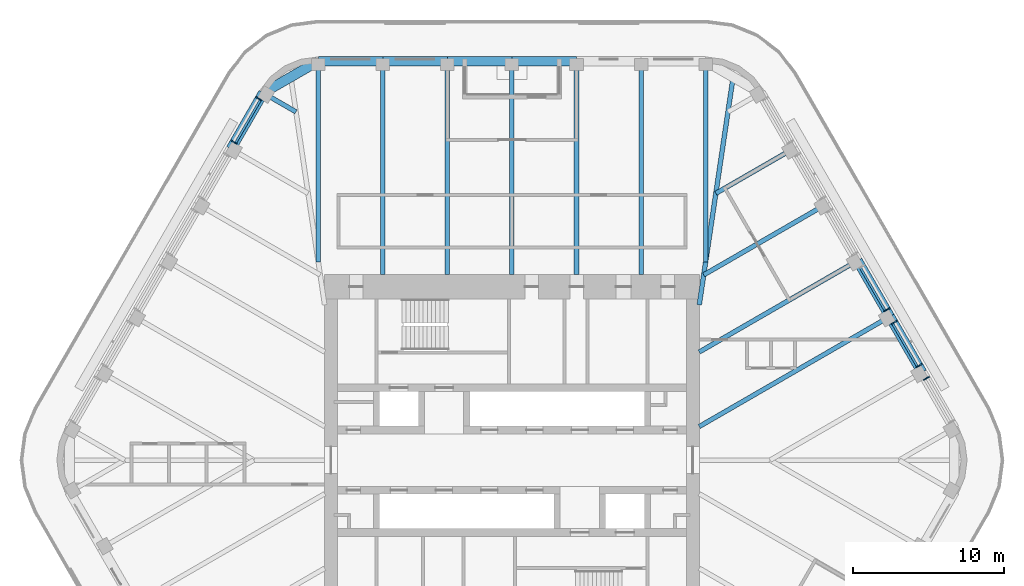
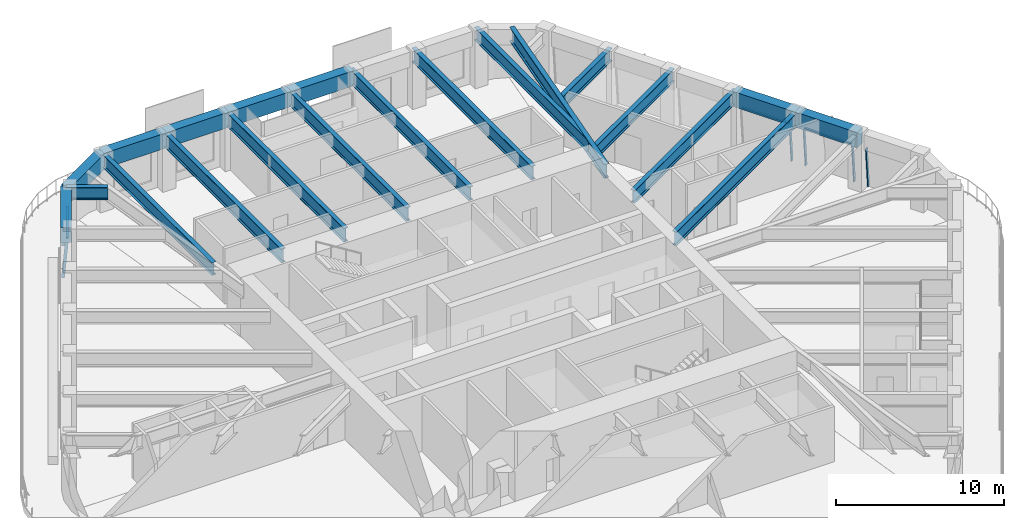
# One storey, part 9 of 19: 21 beams, 9 members, 4 elements without a shape of their own.
"""IFC4 building model written with IfcOpenShell, lengths in metres."""

from ifc_helpers import new_model, si_unit, direction, frame, origin, origin_2d, place, context, subcontext, project, spatial, rectangle, i_section, extrude, material, material_profile, profile_set, type_object, element, aggregate, save


model = new_model("IFC4")

# Units and contexts
model_context = context("Model", 3, precision=1e-05, world=origin(), true_north=direction((0.0, 1.0)))
body_context = subcontext(model_context, "Body", "Model", "MODEL_VIEW")
ifc_project = project(units=[si_unit("LENGTHUNIT", "METRE"), si_unit("AREAUNIT", "SQUARE_METRE"), si_unit("VOLUMEUNIT", "CUBIC_METRE"), si_unit("PLANEANGLEUNIT", "RADIAN"), si_unit("MASSUNIT", "GRAM", prefix="KILO")], contexts=[model_context])

# Site, building, storey
site_placement = place(None, origin())
site = spatial("IfcSite", under=ifc_project, at=site_placement, CompositionType="ELEMENT")
building_placement = place(site_placement, origin())
building = spatial("IfcBuilding", under=site, at=building_placement, Name="Tarfa Lantern Tower", CompositionType="ELEMENT")
storey_placement = place(building_placement, frame((0.0, 0.0, 353.5)))
storey = spatial("IfcBuildingStorey", under=building, at=storey_placement, Name="L80", CompositionType="ELEMENT", Elevation=353.5)

# Curtain wall, member
ifc_material_1 = material(Name="Aluminium framed curtain wall", Category="aluminium")
curtain_wall_type = type_object("IfcCurtainWallType", Name="CW4 CANTED GLAZING EXECUTIVE ZONE 2900", PredefinedType="USERDEFINED", material=ifc_material_1)
curtain_wall_1_placement = place(storey_placement, origin())
curtain_wall_1 = element("IfcCurtainWall", 1, at=curtain_wall_1_placement, inside=storey, type_object=curtain_wall_type, Name="CW4 NE L80", ObjectType="CURTAIN WALL", PredefinedType="USERDEFINED")
ifc_material_2 = material(Name="Aluminium mullion", Category="aluminium")
ifc_material_profile_1 = material_profile(ifc_material_2, rectangle(XDim=0.06494140625, YDim=0.199951171875, at=origin_2d()), Name="AL MULLION 65x200")
ifc_profile_set_1 = profile_set([ifc_material_profile_1], Name="Aluminium mullion")
member_type_1 = type_object("IfcMemberType", Name="CWM1 MULLION 65x200", PredefinedType="MULLION", material=ifc_profile_set_1)
member_1_placement = place(storey_placement, frame((27.602783203125, 5.490478515625, 0.0), z_axis=(-0.074399820079, -0.042945555672, 0.996303340364), x_axis=(0.499919672301, -0.866071776036, 0.0)))
member_1 = element("IfcMember", 2, at=member_1_placement, type_object=member_type_1, Name="CW4 mullion 2", PredefinedType="MULLION", context=body_context, shape_type="SweptSolid", body=[
    extrude(rectangle(XDim=0.06494140625, YDim=0.199951171875, at=origin_2d()), origin(), (0.0, 0.0, 1.0), 2.91064453125),
])
aggregate(curtain_wall_1, [member_1])

# Curtain wall, members
curtain_wall_2_placement = place(storey_placement, origin())
curtain_wall_2 = element("IfcCurtainWall", 3, at=curtain_wall_2_placement, inside=storey, type_object=curtain_wall_type, Name="CW4 NE L80", ObjectType="CURTAIN WALL", PredefinedType="USERDEFINED")
member_2_placement = place(storey_placement, frame((27.120361328125, 6.326171875, 0.0), z_axis=(-0.074399820079, -0.042945555672, 0.996303340364), x_axis=(0.499919672301, -0.866071776036, 0.0)))
member_2 = element("IfcMember", 4, at=member_2_placement, type_object=member_type_1, Name="CW4 mullion 1", PredefinedType="MULLION", context=body_context, shape_type="SweptSolid", body=[
    extrude(rectangle(XDim=0.06494140625, YDim=0.199951171875, at=origin_2d()), origin(), (0.0, 0.0, 1.0), 2.91064453125),
])
member_3_placement = place(storey_placement, frame((25.4619140625, 9.19873046875, 0.0), z_axis=(-0.074399820079, -0.042945555672, 0.996303340364), x_axis=(0.499919672301, -0.866071776036, 0.0)))
member_3 = element("IfcMember", 5, at=member_3_placement, type_object=member_type_1, Name="CW4 mullion 2", PredefinedType="MULLION", context=body_context, shape_type="SweptSolid", body=[
    extrude(rectangle(XDim=0.06494140625, YDim=0.199951171875, at=origin_2d()), origin(), (0.0, 0.0, 1.0), 2.91064453125),
])

# Curtain wall, member
curtain_wall_3_placement = place(storey_placement, origin())
curtain_wall_3 = element("IfcCurtainWall", 6, at=curtain_wall_3_placement, inside=storey, type_object=curtain_wall_type, Name="CW4 NE L80", ObjectType="CURTAIN WALL", PredefinedType="USERDEFINED")
member_4_placement = place(storey_placement, frame((24.979248046875, 10.034423828125, 0.0), z_axis=(-0.074316405553, -0.042945823525, 0.996309554359), x_axis=(0.500342721131, -0.865827443207, 0.0)))
member_4 = element("IfcMember", 7, at=member_4_placement, type_object=member_type_1, Name="CW4 mullion 1", PredefinedType="MULLION", context=body_context, shape_type="SweptSolid", body=[
    extrude(rectangle(XDim=0.06494140625, YDim=0.199951171875, at=origin_2d()), origin(), (0.0, 0.0, 1.0), 2.91064453125),
])

# Curtain wall, members
curtain_wall_4_placement = place(storey_placement, origin())
curtain_wall_4 = element("IfcCurtainWall", 8, at=curtain_wall_4_placement, inside=storey, type_object=curtain_wall_type, Name="CW4 NW L80", ObjectType="CURTAIN WALL", PredefinedType="USERDEFINED")
member_5_placement = place(storey_placement, frame((-16.897705078125, 24.0322265625, 0.0), z_axis=(0.074316405553, -0.042945823525, 0.996309554359), x_axis=(0.500342721131, 0.865827443207, 0.0)))
member_5 = element("IfcMember", 9, at=member_5_placement, type_object=member_type_1, Name="CW4 mullion 1", PredefinedType="MULLION", context=body_context, shape_type="SweptSolid", body=[
    extrude(rectangle(XDim=0.06494140625, YDim=0.199951171875, at=origin_2d()), origin(), (0.0, 0.0, 1.0), 2.91064453125),
])
member_6_placement = place(storey_placement, frame((-18.556396484375, 21.159423828125, 0.0), z_axis=(0.074399820079, -0.042945555672, 0.996303340364), x_axis=(0.499919672301, 0.866071776036, 0.0)))
member_6 = element("IfcMember", 10, at=member_6_placement, type_object=member_type_1, Name="CW4 mullion 2", PredefinedType="MULLION", context=body_context, shape_type="SweptSolid", body=[
    extrude(rectangle(XDim=0.06494140625, YDim=0.199951171875, at=origin_2d()), origin(), (0.0, 0.0, 1.0), 2.91064453125),
])

# Member
ifc_material_3 = material(Name="Aluminium transom", Category="aluminium")
ifc_material_profile_2 = material_profile(ifc_material_3, rectangle(XDim=0.14990234375, YDim=0.06494140625, at=origin_2d()), Name="AL TRANSOM 150x65")
ifc_profile_set_2 = profile_set([ifc_material_profile_2], Name="Aluminium transom")
member_type_2 = type_object("IfcMemberType", Name="CWT1 TRANSOM 150x65", PredefinedType="USERDEFINED", material=ifc_profile_set_2)
member_7_placement = place(storey_placement, frame((26.889892578125, 6.230712890625, 2.867431640625), z_axis=(-0.499982393232, 0.866035568818, 0.0), x_axis=(-0.866035568818, -0.499982393232, 0.0)))
member_7 = element("IfcMember", 11, at=member_7_placement, type_object=member_type_2, Name="CW4 transom 1.2", ObjectType="TRANSOM", PredefinedType="USERDEFINED", context=body_context, shape_type="SweptSolid", body=[
    extrude(rectangle(XDim=0.14990234375, YDim=0.06494140625, at=origin_2d()), origin(), (0.0, 0.0, 1.0), 3.251953125),
])

aggregate(curtain_wall_2, [member_2, member_3, member_7])

member_8_placement = place(storey_placement, frame((24.7490234375, 9.93896484375, 2.867431640625), z_axis=(-0.499982393232, 0.866035568818, 0.0), x_axis=(-0.866035568818, -0.499982393232, 0.0)))
member_8 = element("IfcMember", 12, at=member_8_placement, type_object=member_type_2, Name="CW4 transom 1.2", ObjectType="TRANSOM", PredefinedType="USERDEFINED", context=body_context, shape_type="SweptSolid", body=[
    extrude(rectangle(XDim=0.14990234375, YDim=0.06494140625, at=origin_2d()), origin(), (0.0, 0.0, 1.0), 3.251953125),
])

aggregate(curtain_wall_3, [member_4, member_8])

member_9_placement = place(storey_placement, frame((-16.699951171875, 23.88037109375, 2.867431640625), z_axis=(-0.499982393232, -0.866035568818, 0.0), x_axis=(0.866035568818, -0.499982393232, 0.0)))
member_9 = element("IfcMember", 13, at=member_9_placement, type_object=member_type_2, Name="CW4 transom 1.2", ObjectType="TRANSOM", PredefinedType="USERDEFINED", context=body_context, shape_type="SweptSolid", body=[
    extrude(rectangle(XDim=0.14990234375, YDim=0.06494140625, at=origin_2d()), origin(), (0.0, 0.0, 1.0), 3.251953125),
])

aggregate(curtain_wall_4, [member_5, member_6, member_9])

# Beams
ifc_material_4 = material(Name="Concrete C80/95", Category="concrete")
ifc_material_profile_3 = material_profile(ifc_material_4, rectangle(XDim=0.64990234375, YDim=1.10009765625, at=origin_2d()), Name="RC 650x1100")
ifc_profile_set_3 = profile_set([ifc_material_profile_3], Name="Concrete C80/95")
beam_type_1 = type_object("IfcBeamType", Name="EB4 RC 650x1100", PredefinedType="SPANDREL", material=ifc_profile_set_3)
beam_1_placement = place(storey_placement, frame((27.205810546875, 5.818359375, 3.449951171875), z_axis=(-0.500026801138, 0.866009929587, 0.0), x_axis=(-0.866009929587, -0.500026801138, 0.0)))
element("IfcBeam", 14, at=beam_1_placement, inside=storey, type_object=beam_type_1, Name="Edge beam NE1", PredefinedType="SPANDREL", context=body_context, shape_type="SweptSolid", body=[
    extrude(rectangle(XDim=0.64990234375, YDim=1.10009765625, at=origin_2d()), origin(), (0.0, 0.0, 1.0), 4.281982421875),
])
beam_2_placement = place(storey_placement, frame((25.064697265625, 9.526611328125, 3.449951171875), z_axis=(-0.500002112793, 0.866024183959, 0.0), x_axis=(-0.866024183959, -0.500002112793, 0.0)))
element("IfcBeam", 15, at=beam_2_placement, inside=storey, type_object=beam_type_1, Name="Edge beam NE2", PredefinedType="SPANDREL", context=body_context, shape_type="SweptSolid", body=[
    extrude(rectangle(XDim=0.64990234375, YDim=1.10009765625, at=origin_2d()), origin(), (0.0, 0.0, 1.0), 4.2822265625),
])
for number, where, z_axis, x_axis, name in (
    (16, (4.281982421875, 26.469970703125, 3.449951171875), (-1.0, 0.0, 0.0), (0.0, -1.0, 0.0), "Edge beam N2"),
    (17, (0.0, 26.469970703125, 3.449951171875), (-1.0, 0.0, 0.0), (0.0, -1.0, 0.0), "Edge beam N3"),
    (18, (-4.281982421875, 26.469970703125, 3.449951171875), (-1.0, 0.0, 0.0), (0.0, -1.0, 0.0), "Edge beam N4"),
    (19, (-8.56396484375, 26.469970703125, 3.449951171875), (-1.0, 0.0, 0.0), (0.0, -1.0, 0.0), "Edge beam N5"),
):
    element("IfcBeam", number, at=place(storey_placement, frame(where, z_axis=z_axis, x_axis=x_axis)), inside=storey, type_object=beam_type_1, Name=name, PredefinedType="SPANDREL", context=body_context, shape_type="SweptSolid", body=[
        extrude(rectangle(XDim=0.64990234375, YDim=1.10009765625, at=origin_2d()), origin(), (0.0, 0.0, 1.0), 4.281982421875),
    ])
beam_3_placement = place(storey_placement, frame((-12.845947265625, 26.469970703125, 3.449951171875), z_axis=(-0.866048788483, -0.499959494327, 0.0), x_axis=(0.499959494327, -0.866048788483, 0.0)))
element("IfcBeam", 20, at=beam_3_placement, inside=storey, type_object=beam_type_1, Name="Edge beam N6", PredefinedType="SPANDREL", context=body_context, shape_type="SweptSolid", body=[
    extrude(rectangle(XDim=0.64990234375, YDim=1.10009765625, at=origin_2d()), origin(), (0.0, 0.0, 1.0), 4.219970703125),
])
beam_4_placement = place(storey_placement, frame((-16.500732421875, 24.360107421875, 3.449951171875), z_axis=(-0.499959351497, -0.866048870937, 0.0), x_axis=(0.866048870937, -0.499959351497, 0.0)))
element("IfcBeam", 21, at=beam_4_placement, inside=storey, type_object=beam_type_1, Name="Edge beam NW0", PredefinedType="SPANDREL", context=body_context, shape_type="SweptSolid", body=[
    extrude(rectangle(XDim=0.64990234375, YDim=1.10009765625, at=origin_2d()), origin(), (0.0, 0.0, 1.0), 4.281982421875),
])
ifc_material_5 = material(Name="Steel S460M", Category="steel")
ifc_material_profile_4 = material_profile(ifc_material_5, i_section(OverallWidth=0.302001953125, OverallDepth=1.008056640625, WebThickness=0.02099609375, FlangeThickness=0.0400390625, FilletRadius=0.030029296875, at=origin_2d()), Name="UB1016x305x349")
ifc_profile_set_4 = profile_set([ifc_material_profile_4], Name="Steel S460M")
beam_type_2 = type_object("IfcBeamType", Name="UB1016x305x349", PredefinedType="BEAM", material=ifc_profile_set_4)
beam_5_placement = place(storey_placement, frame((25.064697265625, 9.526611328125, 3.495849609375), z_axis=(-0.866029591389, -0.499992746786, 0.0), x_axis=(0.499992746786, -0.866029591389, 0.0)))
element("IfcBeam", 22, at=beam_5_placement, inside=storey, type_object=beam_type_2, Name="Floor beam NE2", PredefinedType="BEAM", context=body_context, shape_type="SweptSolid", body=[
    extrude(i_section(OverallWidth=0.302001953125, OverallDepth=1.008056640625, WebThickness=0.02099609375, FlangeThickness=0.0400390625, FilletRadius=0.030029296875, at=origin_2d()), origin(), (0.0, 0.0, 1.0), 14.594970703125),
])
for number, where, z_axis, x_axis, name in (
    (23, (8.56396484375, 26.469970703125, 3.495849609375), (0.0, -1.0, 0.0), (1.0, 0.0, 0.0), "Floor beam N1"),
    (24, (4.281982421875, 26.469970703125, 3.495849609375), (0.0, -1.0, 0.0), (1.0, 0.0, 0.0), "Floor beam N2"),
    (25, (0.0, 26.469970703125, 3.495849609375), (0.0, -1.0, 0.0), (1.0, 0.0, 0.0), "Floor beam N3"),
    (26, (-4.281982421875, 26.469970703125, 3.495849609375), (0.0, -1.0, 0.0), (1.0, 0.0, 0.0), "Floor beam N4"),
    (27, (-8.56396484375, 26.469970703125, 3.495849609375), (0.0, -1.0, 0.0), (1.0, 0.0, 0.0), "Floor beam N5"),
):
    element("IfcBeam", number, at=place(storey_placement, frame(where, z_axis=z_axis, x_axis=x_axis)), inside=storey, type_object=beam_type_2, Name=name, PredefinedType="BEAM", context=body_context, shape_type="SweptSolid", body=[
        extrude(i_section(OverallWidth=0.302001953125, OverallDepth=1.008056640625, WebThickness=0.02099609375, FlangeThickness=0.0400390625, FilletRadius=0.030029296875, at=origin_2d()), origin(), (0.0, 0.0, 1.0), 14.169921875),
    ])
ifc_material_profile_5 = material_profile(ifc_material_5, i_section(OverallWidth=0.30859375, OverallDepth=1.036376953125, WebThickness=0.030029296875, FlangeThickness=0.05419921875, FilletRadius=0.030029296875, at=origin_2d()), Name="UB1016x305x487")
ifc_profile_set_5 = profile_set([ifc_material_profile_5], Name="Steel S460M")
beam_type_3 = type_object("IfcBeamType", Name="UB1016x305x487", PredefinedType="BEAM", material=ifc_profile_set_5)
beam_6_placement = place(storey_placement, frame((12.425048828125, 10.300048828125, 3.48193359375), z_axis=(0.147127069073, 0.989117599452, 0.0), x_axis=(-0.989117599452, 0.147127069073, 0.0)))
element("IfcBeam", 28, at=beam_6_placement, inside=storey, type_object=beam_type_3, Name="Hip girder NE", PredefinedType="BEAM", context=body_context, shape_type="SweptSolid", body=[
    extrude(i_section(OverallWidth=0.30859375, OverallDepth=1.036376953125, WebThickness=0.030029296875, FlangeThickness=0.05419921875, FilletRadius=0.030029296875, at=origin_2d()), origin(), (0.0, 0.0, 1.0), 15.28125),
])
ifc_material_profile_6 = material_profile(ifc_material_5, i_section(OverallWidth=0.305419921875, OverallDepth=0.91845703125, WebThickness=0.017333984375, FlangeThickness=0.02783203125, FilletRadius=0.01904296875, at=origin_2d()), Name="UB914x305x253")
ifc_profile_set_6 = profile_set([ifc_material_profile_6], Name="Steel S460M")
beam_type_4 = type_object("IfcBeamType", Name="UB914x305x253", PredefinedType="BEAM", material=ifc_profile_set_6)
beam_7_placement = place(storey_placement, frame((22.923583984375, 13.235107421875, 3.540771484375), z_axis=(-0.86601856927, -0.500011837539, 0.0), x_axis=(0.500011837539, -0.86601856927, 0.0)))
element("IfcBeam", 29, at=beam_7_placement, inside=storey, type_object=beam_type_4, Name="Floor beam NE3", PredefinedType="BEAM", context=body_context, shape_type="SweptSolid", body=[
    extrude(i_section(OverallWidth=0.305419921875, OverallDepth=0.91845703125, WebThickness=0.017333984375, FlangeThickness=0.02783203125, FilletRadius=0.01904296875, at=origin_2d()), origin(), (0.0, 0.0, 1.0), 12.122802734375),
])
beam_8_placement = place(storey_placement, frame((20.78271484375, 16.943359375, 3.540771484375), z_axis=(-0.866021806508, -0.500006230613, 0.0), x_axis=(0.500006230613, -0.866021806508, 0.0)))
element("IfcBeam", 30, at=beam_8_placement, inside=storey, type_object=beam_type_4, Name="Floor beam NE4", PredefinedType="BEAM", context=body_context, shape_type="SweptSolid", body=[
    extrude(i_section(OverallWidth=0.305419921875, OverallDepth=0.91845703125, WebThickness=0.017333984375, FlangeThickness=0.02783203125, FilletRadius=0.01904296875, at=origin_2d()), origin(), (0.0, 0.0, 1.0), 9.30908203125),
])
beam_9_placement = place(storey_placement, frame((18.6416015625, 20.651611328125, 3.540771484375), z_axis=(-0.866024549157, -0.500001480256, 0.0), x_axis=(0.500001480256, -0.866024549157, 0.0)))
element("IfcBeam", 31, at=beam_9_placement, inside=storey, type_object=beam_type_4, Name="Floor beam NE5", PredefinedType="BEAM", context=body_context, shape_type="SweptSolid", body=[
    extrude(i_section(OverallWidth=0.305419921875, OverallDepth=0.91845703125, WebThickness=0.017333984375, FlangeThickness=0.02783203125, FilletRadius=0.01904296875, at=origin_2d()), origin(), (0.0, 0.0, 1.0), 5.90771484375),
])
for number, where, z_axis, x_axis, name in (
    (32, (12.845947265625, 26.469970703125, 3.540771484375), (0.0, -1.0, 0.0), (1.0, 0.0, 0.0), "Floor beam N0"),
    (33, (-12.845947265625, 26.469970703125, 3.540771484375), (0.0, -1.0, 0.0), (1.0, 0.0, 0.0), "Floor beam N6"),
):
    element("IfcBeam", number, at=place(storey_placement, frame(where, z_axis=z_axis, x_axis=x_axis)), inside=storey, type_object=beam_type_4, Name=name, PredefinedType="BEAM", context=body_context, shape_type="SweptSolid", body=[
        extrude(i_section(OverallWidth=0.305419921875, OverallDepth=0.91845703125, WebThickness=0.017333984375, FlangeThickness=0.02783203125, FilletRadius=0.01904296875, at=origin_2d()), origin(), (0.0, 0.0, 1.0), 13.33935546875),
    ])
beam_10_placement = place(storey_placement, frame((-16.500732421875, 24.360107421875, 3.540771484375), z_axis=(0.865992557167, -0.500056887695, 0.0), x_axis=(0.500056887695, 0.865992557167, 0.0)))
element("IfcBeam", 34, at=beam_10_placement, inside=storey, type_object=beam_type_4, Name="Floor beam NW0", PredefinedType="BEAM", context=body_context, shape_type="SweptSolid", body=[
    extrude(i_section(OverallWidth=0.305419921875, OverallDepth=0.91845703125, WebThickness=0.017333984375, FlangeThickness=0.02783203125, FilletRadius=0.01904296875, at=origin_2d()), origin(), (0.0, 0.0, 1.0), 2.506591796875),
])

save(model, "model.ifc")
